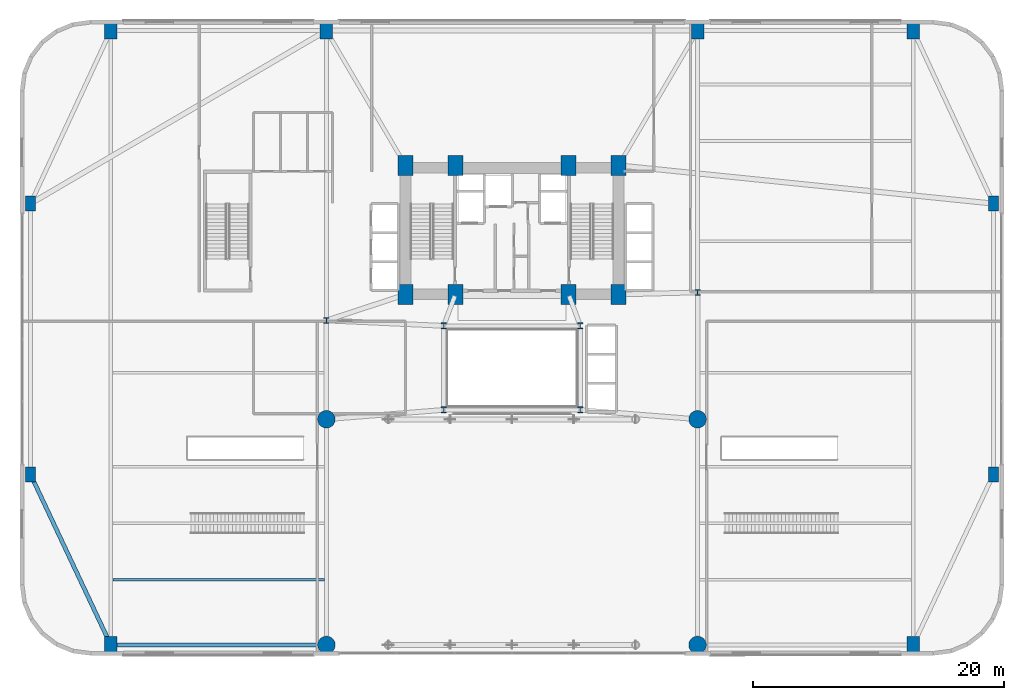
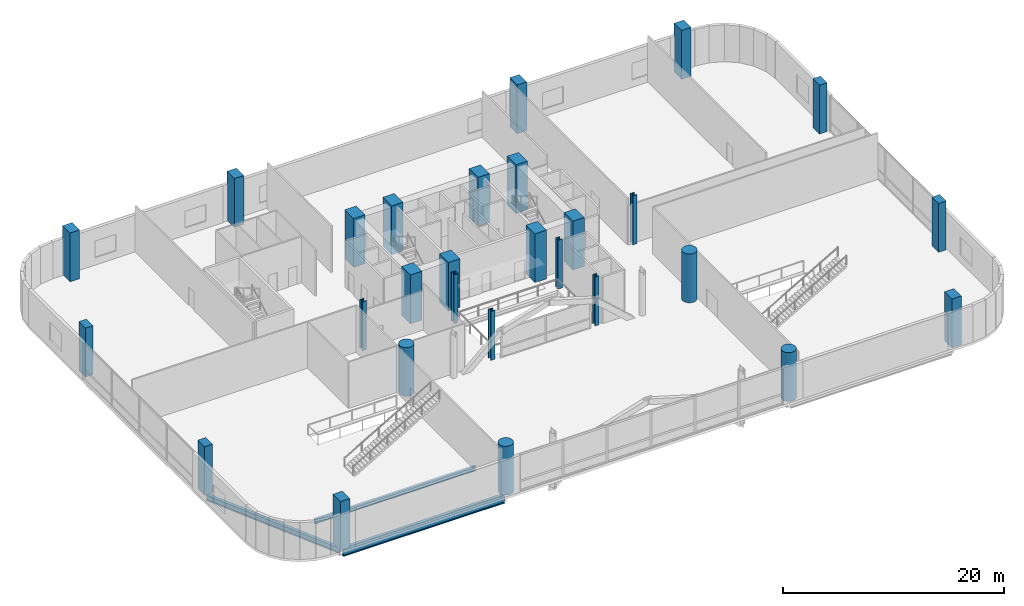
# One storey, part 1 of 36: 28 columns, 3 beams.
"""IFC4 building model written with IfcOpenShell, lengths in metres."""

from ifc_helpers import new_model, si_unit, direction, frame, origin, origin_2d, place, context, subcontext, project, spatial, rectangle, circle, i_section, extrude, material, material_profile, profile_set, type_object, element, save


model = new_model("IFC4")

# Units and contexts
model_context = context("Model", 3, precision=1e-05, world=origin(), true_north=direction((0.0, 1.0)))
body_context = subcontext(model_context, "Body", "Model", "MODEL_VIEW")
ifc_project = project(units=[si_unit("LENGTHUNIT", "METRE"), si_unit("AREAUNIT", "SQUARE_METRE"), si_unit("VOLUMEUNIT", "CUBIC_METRE"), si_unit("PLANEANGLEUNIT", "RADIAN"), si_unit("MASSUNIT", "GRAM", prefix="KILO")], contexts=[model_context])

# Site, building, storey
site_placement = place(None, origin())
site = spatial("IfcSite", under=ifc_project, at=site_placement, CompositionType="ELEMENT")
building_placement = place(site_placement, origin())
building = spatial("IfcBuilding", under=site, at=building_placement, Name="Varnelok Gate Tower", CompositionType="ELEMENT")
storey_placement = place(building_placement, frame((0.0, 0.0, 10.800048828125)))
storey = spatial("IfcBuildingStorey", under=building, at=storey_placement, Name="L02", CompositionType="ELEMENT", Elevation=10.800048828125)

# Columns
ifc_material_1 = material(Name="Concrete C60/75", Category="concrete")
ifc_material_profile_1 = material_profile(ifc_material_1, rectangle(XDim=0.800048828125, YDim=1.199951171875, at=origin_2d()), Name="RC1200X800")
ifc_profile_set_1 = profile_set([ifc_material_profile_1], Name="Concrete C60/75")
column_type_1 = type_object("IfcColumnType", Name="COL-PIL-RC1200", PredefinedType="PILASTER", material=ifc_profile_set_1)
for number, where, z_axis, x_axis, name in (
    (1, (0.800048828125, 14.39990234375, 0.0), (0.0, 0.0, 1.0), (1.0, 0.0, 0.0), "L02 Podium Mega-Column PM11"),
    (2, (0.800048828125, 36.0, 0.0), (0.0, 0.0, 1.0), (1.0, 0.0, 0.0), "L02 Podium Mega-Column PM12"),
    (3, (77.60009765625, 14.39990234375, 0.0), (0.0, 0.0, 1.0), (1.0, 0.0, 0.0), "L02 Podium Mega-Column PM13"),
    (4, (77.60009765625, 36.0, 0.0), (0.0, 0.0, 1.0), (1.0, 0.0, 0.0), "L02 Podium Mega-Column PM14"),
):
    element("IfcColumn", number, at=place(storey_placement, frame(where, z_axis=z_axis, x_axis=x_axis)), inside=storey, type_object=column_type_1, Name=name, PredefinedType="PILASTER", context=body_context, shape_type="SweptSolid", body=[
        extrude(rectangle(XDim=0.800048828125, YDim=1.199951171875, at=origin_2d()), origin(), (0.0, 0.0, 1.0), 5.39990234375),
    ])
ifc_material_2 = material(Name="Concrete C70/85", Category="concrete")
ifc_material_profile_2 = material_profile(ifc_material_2, rectangle(XDim=1.0, YDim=1.35009765625, at=origin_2d()), Name="RC1350X1000")
ifc_profile_set_2 = profile_set([ifc_material_profile_2], Name="Concrete C70/85")
column_type_2 = type_object("IfcColumnType", Name="COL-RC1350X1000", PredefinedType="COLUMN", material=ifc_profile_set_2)
for number, where, z_axis, x_axis, name in (
    (5, (7.199951171875, 0.800048828125, 0.0), (0.0, 0.0, 1.0), (1.0, 0.0, 0.0), "L02 Podium Mega-Column PM01"),
    (6, (71.199951171875, 0.800048828125, 0.0), (0.0, 0.0, 1.0), (1.0, 0.0, 0.0), "L02 Podium Mega-Column PM04"),
    (7, (7.199951171875, 49.800048828125, 0.0), (0.0, 0.0, 1.0), (1.0, 0.0, 0.0), "L02 Podium Mega-Column PM07"),
    (8, (24.39990234375, 49.800048828125, 0.0), (0.0, 0.0, 1.0), (1.0, 0.0, 0.0), "L02 Podium Mega-Column PM08"),
    (9, (54.0, 49.800048828125, 0.0), (0.0, 0.0, 1.0), (1.0, 0.0, 0.0), "L02 Podium Mega-Column PM09"),
    (10, (71.199951171875, 49.800048828125, 0.0), (0.0, 0.0, 1.0), (1.0, 0.0, 0.0), "L02 Podium Mega-Column PM10"),
):
    element("IfcColumn", number, at=place(storey_placement, frame(where, z_axis=z_axis, x_axis=x_axis)), inside=storey, type_object=column_type_2, Name=name, PredefinedType="COLUMN", context=body_context, shape_type="SweptSolid", body=[
        extrude(rectangle(XDim=1.0, YDim=1.35009765625, at=origin_2d()), origin(), (0.0, 0.0, 1.0), 5.39990234375),
    ])
ifc_material_profile_3 = material_profile(ifc_material_2, rectangle(XDim=1.199951171875, YDim=1.60009765625, at=origin_2d()), Name="RC1600X1200")
ifc_profile_set_3 = profile_set([ifc_material_profile_3], Name="Concrete C70/85")
column_type_3 = type_object("IfcColumnType", Name="COL-RC1600X1200", PredefinedType="COLUMN", material=ifc_profile_set_3)
for number, where, z_axis, x_axis, name in (
    (11, (30.699951171875, 28.75, 0.0), (0.0, 0.0, 1.0), (1.0, 0.0, 0.0), "L02 Core Spine Column SC1"),
    (12, (34.679931640625, 28.75, 0.0), (0.0, 0.0, 1.0), (1.0, 0.0, 0.0), "L02 Core Spine Column SC2"),
    (13, (43.719970703125, 28.75, 0.0), (0.0, 0.0, 1.0), (1.0, 0.0, 0.0), "L02 Core Spine Column SC3"),
    (14, (47.699951171875, 28.75, 0.0), (0.0, 0.0, 1.0), (1.0, 0.0, 0.0), "L02 Core Spine Column SC4"),
    (15, (30.699951171875, 39.050048828125, 0.0), (0.0, 0.0, 1.0), (1.0, 0.0, 0.0), "L02 Core Spine Column SC5"),
    (16, (34.679931640625, 39.050048828125, 0.0), (0.0, 0.0, 1.0), (1.0, 0.0, 0.0), "L02 Core Spine Column SC6"),
    (17, (43.719970703125, 39.050048828125, 0.0), (0.0, 0.0, 1.0), (1.0, 0.0, 0.0), "L02 Core Spine Column SC7"),
    (18, (47.699951171875, 39.050048828125, 0.0), (0.0, 0.0, 1.0), (1.0, 0.0, 0.0), "L02 Core Spine Column SC8"),
):
    element("IfcColumn", number, at=place(storey_placement, frame(where, z_axis=z_axis, x_axis=x_axis)), inside=storey, type_object=column_type_3, Name=name, PredefinedType="COLUMN", context=body_context, shape_type="SweptSolid", body=[
        extrude(rectangle(XDim=1.199951171875, YDim=1.60009765625, at=origin_2d()), origin(), (0.0, 0.0, 1.0), 5.39990234375),
    ])
ifc_material_profile_4 = material_profile(ifc_material_1, circle(Radius=0.699951171875, at=origin_2d()), Name="RCD1400")
ifc_profile_set_4 = profile_set([ifc_material_profile_4], Name="Concrete C60/75")
column_type_4 = type_object("IfcColumnType", Name="COL-RCD1400", PredefinedType="COLUMN", material=ifc_profile_set_4)
for number, where, z_axis, x_axis, name in (
    (19, (24.39990234375, 0.800048828125, 0.0), (0.0, 0.0, 1.0), (1.0, 0.0, 0.0), "L02 Podium Mega-Column PM02"),
    (20, (54.0, 0.800048828125, 0.0), (0.0, 0.0, 1.0), (1.0, 0.0, 0.0), "L02 Podium Mega-Column PM03"),
    (21, (24.39990234375, 18.800048828125, 0.0), (0.0, 0.0, 1.0), (1.0, 0.0, 0.0), "L02 Podium Mega-Column PM05"),
    (22, (54.0, 18.800048828125, 0.0), (0.0, 0.0, 1.0), (1.0, 0.0, 0.0), "L02 Podium Mega-Column PM06"),
):
    element("IfcColumn", number, at=place(storey_placement, frame(where, z_axis=z_axis, x_axis=x_axis)), inside=storey, type_object=column_type_4, Name=name, PredefinedType="COLUMN", context=body_context, shape_type="SweptSolid", body=[
        extrude(circle(Radius=0.699951171875, at=origin_2d()), origin(), (0.0, 0.0, 1.0), 5.39990234375),
    ])
ifc_material_3 = material(Name="Structural Steel ASTM A992 Grade 50", Category="steel")
ifc_material_profile_5 = material_profile(ifc_material_3, i_section(OverallWidth=0.431884765625, OverallDepth=0.498046875, WebThickness=0.0556640625, FlangeThickness=0.0888671875, FilletRadius=0.02490234375, at=origin_2d()), Name="W14X500")
ifc_profile_set_5 = profile_set([ifc_material_profile_5], Name="Structural Steel ASTM A992 Grade 50")
column_type_5 = type_object("IfcColumnType", Name="COL-W14X500", PredefinedType="COLUMN", material=ifc_profile_set_5)
for number, where, z_axis, x_axis, name in (
    (23, (33.75, 19.550048828125, 0.0), (0.0, 0.0, 1.0), (1.0, 0.0, 0.0), "L02 Atrium Spine Column AC1"),
    (24, (44.64990234375, 19.550048828125, 0.0), (0.0, 0.0, 1.0), (1.0, 0.0, 0.0), "L02 Atrium Spine Column AC2"),
    (25, (33.75, 26.25, 0.0), (0.0, 0.0, 1.0), (1.0, 0.0, 0.0), "L02 Atrium Spine Column AC3"),
    (26, (44.64990234375, 26.25, 0.0), (0.0, 0.0, 1.0), (1.0, 0.0, 0.0), "L02 Atrium Spine Column AC4"),
    (27, (24.39990234375, 26.679931640625, 0.0), (0.0, 0.0, 1.0), (1.0, 0.0, 0.0), "L02 Wing Spine Column WS2"),
    (28, (54.0, 28.919921875, 0.0), (0.0, 0.0, 1.0), (1.0, 0.0, 0.0), "L02 Wing Spine Column ES2"),
):
    element("IfcColumn", number, at=place(storey_placement, frame(where, z_axis=z_axis, x_axis=x_axis)), inside=storey, type_object=column_type_5, Name=name, PredefinedType="COLUMN", context=body_context, shape_type="SweptSolid", body=[
        extrude(i_section(OverallWidth=0.431884765625, OverallDepth=0.498046875, WebThickness=0.0556640625, FlangeThickness=0.0888671875, FilletRadius=0.02490234375, at=origin_2d()), origin(), (0.0, 0.0, 1.0), 5.39990234375),
    ])

# Beams
ifc_material_profile_6 = material_profile(ifc_material_3, i_section(OverallWidth=0.2119140625, OverallDepth=0.5439453125, WebThickness=0.01318359375, FlangeThickness=0.021240234375, FilletRadius=0.01611328125, at=origin_2d()), Name="W21X83")
ifc_profile_set_6 = profile_set([ifc_material_profile_6], Name="Structural Steel ASTM A992 Grade 50")
beam_type_1 = type_object("IfcBeamType", Name="BM-JST-W21X83", PredefinedType="JOIST", material=ifc_profile_set_6)
beam_1_placement = place(storey_placement, frame((7.360107421875, 6.0, -0.552001953125), z_axis=(1.0, 0.0, 0.0), x_axis=(0.0, 1.0, 0.0)))
element("IfcBeam", 29, at=beam_1_placement, inside=storey, type_object=beam_type_1, Name="L02 Podium Floor Joist", PredefinedType="JOIST", context=body_context, shape_type="SweptSolid", body=[
    extrude(i_section(OverallWidth=0.2119140625, OverallDepth=0.5439453125, WebThickness=0.01318359375, FlangeThickness=0.021240234375, FilletRadius=0.01611328125, at=origin_2d()), origin(), (0.0, 0.0, 1.0), 16.8798828125),
])
ifc_material_profile_7 = material_profile(ifc_material_3, i_section(OverallWidth=0.30810546875, OverallDepth=0.943115234375, WebThickness=0.022216796875, FlangeThickness=0.039794921875, FilletRadius=0.02587890625, at=origin_2d()), Name="W36X232")
ifc_profile_set_7 = profile_set([ifc_material_profile_7], Name="Structural Steel ASTM A992 Grade 50")
beam_type_2 = type_object("IfcBeamType", Name="BM-PRI-W36X232", PredefinedType="BEAM", material=ifc_profile_set_7)
beam_2_placement = place(storey_placement, frame((7.340087890625, 0.800048828125, -0.75146484375), z_axis=(1.0, 0.0, 0.0), x_axis=(0.0, 1.0, 0.0)))
element("IfcBeam", 30, at=beam_2_placement, inside=storey, type_object=beam_type_2, Name="L02 Podium Primary Girder 1", PredefinedType="BEAM", context=body_context, shape_type="SweptSolid", body=[
    extrude(i_section(OverallWidth=0.30810546875, OverallDepth=0.943115234375, WebThickness=0.022216796875, FlangeThickness=0.039794921875, FilletRadius=0.02587890625, at=origin_2d()), origin(), (0.0, 0.0, 1.0), 16.919921875),
])
ifc_material_profile_8 = material_profile(ifc_material_3, i_section(OverallWidth=0.323974609375, OverallDepth=0.611083984375, WebThickness=0.0126953125, FlangeThickness=0.01904296875, FilletRadius=0.01806640625, at=origin_2d()), Name="W24X104")
ifc_profile_set_8 = profile_set([ifc_material_profile_8], Name="Structural Steel ASTM A992 Grade 50")
beam_type_3 = type_object("IfcBeamType", Name="BM-SPN-W24X104", PredefinedType="SPANDREL", material=ifc_profile_set_8)
beam_3_placement = place(storey_placement, frame((7.140380859375, 0.9267578125, -0.58544921875), z_axis=(-0.425801818887, 0.90481645157, 0.0), x_axis=(-0.90481645157, -0.425801818887, 0.0)))
element("IfcBeam", 31, at=beam_3_placement, inside=storey, type_object=beam_type_3, Name="L02 Podium Primary Girder 8", PredefinedType="SPANDREL", context=body_context, shape_type="SweptSolid", body=[
    extrude(i_section(OverallWidth=0.323974609375, OverallDepth=0.611083984375, WebThickness=0.0126953125, FlangeThickness=0.01904296875, FilletRadius=0.01806640625, at=origin_2d()), origin(), (0.0, 0.0, 1.0), 14.75048828125),
])

save(model, "model.ifc")
